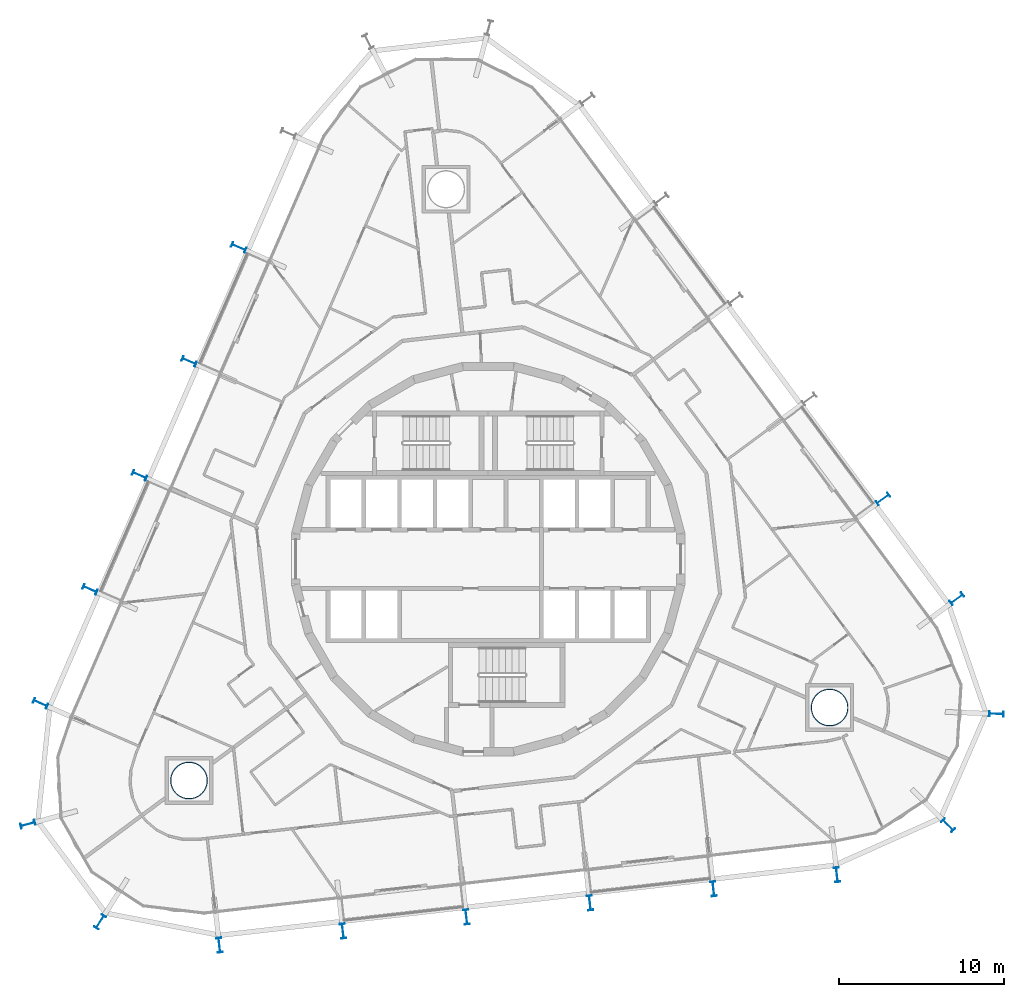
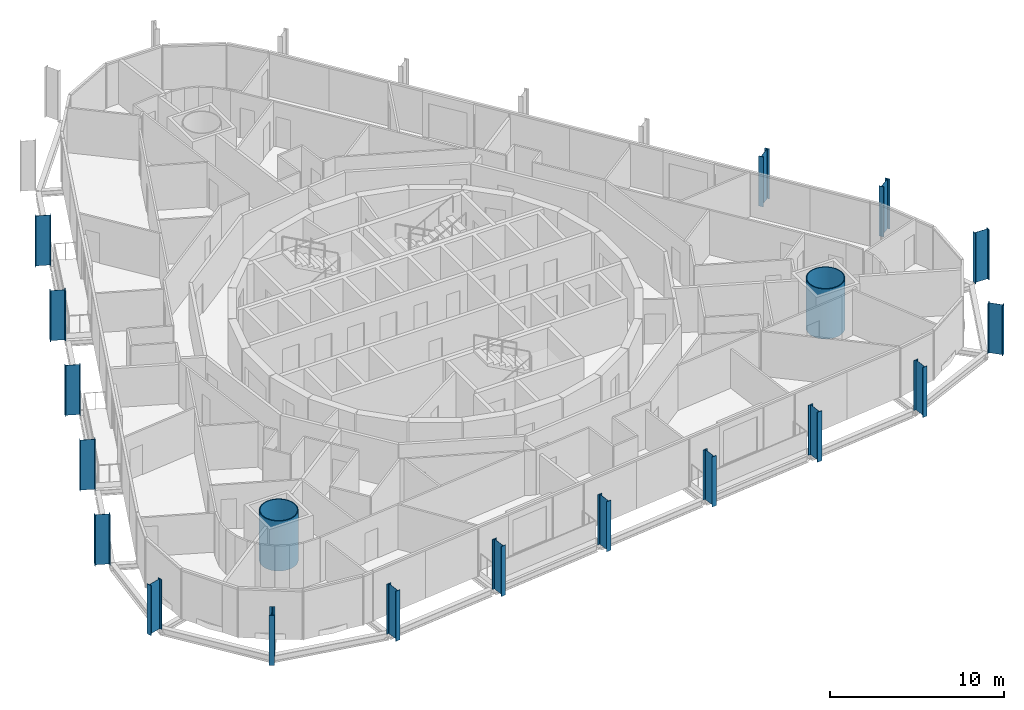
# One storey, part 1 of 21: 19 columns.
"""IFC4 building model written with IfcOpenShell, lengths in metres."""

from ifc_helpers import new_model, si_unit, direction, frame, origin, origin_2d, place, context, subcontext, project, spatial, hollow_circle, i_section, extrude, material, material_profile, profile_set, type_object, element, save


model = new_model("IFC4")

# Units and contexts
model_context = context("Model", 3, precision=1e-05, world=origin(), true_north=direction((0.0, 1.0)))
body_context = subcontext(model_context, "Body", "Model", "MODEL_VIEW")
ifc_project = project(units=[si_unit("LENGTHUNIT", "METRE"), si_unit("AREAUNIT", "SQUARE_METRE"), si_unit("VOLUMEUNIT", "CUBIC_METRE"), si_unit("PLANEANGLEUNIT", "RADIAN"), si_unit("MASSUNIT", "GRAM", prefix="KILO")], contexts=[model_context])

# Site, building, storey
site_placement = place(None, origin())
site = spatial("IfcSite", under=ifc_project, at=site_placement, CompositionType="ELEMENT")
building_placement = place(site_placement, origin())
building = spatial("IfcBuilding", under=site, at=building_placement, Name="Spindle Arch Residences", CompositionType="ELEMENT")
storey_placement = place(building_placement, frame((0.0, 0.0, 97.699951171875)))
storey = spatial("IfcBuildingStorey", under=building, at=storey_placement, Name="L23", CompositionType="ELEMENT", Elevation=97.699951171875)

# Columns
ifc_material_1 = material(Name="Steel S460ML, intumescent coating R 240", Category="steel")
ifc_material_profile_1 = material_profile(ifc_material_1, i_section(OverallWidth=0.300048828125, OverallDepth=0.89990234375, WebThickness=0.0185546875, FlangeThickness=0.034912109375, FilletRadius=0.030029296875, at=origin_2d()), Name="HEB 900")
ifc_profile_set_1 = profile_set([ifc_material_profile_1], Name="Steel S460ML, intumescent coating R 240")
column_type_1 = type_object("IfcColumnType", Name="Exoskeleton post HEB 900", PredefinedType="COLUMN", material=ifc_profile_set_1)
for number, where, z_axis, x_axis, name in (
    (1, (6.153076171875, -20.794677734375, -0.3798828125), (0.0, 0.0, 1.0), (-0.993571881569, -0.113202986513, 0.0), "Exoskeleton post 1"),
    (2, (13.62353515625, -19.943603515625, -0.3798828125), (0.0, 0.0, 1.0), (-0.993571881569, -0.113202986513, 0.0), "Exoskeleton post 2"),
    (3, (21.093994140625, -19.09228515625, -0.3798828125), (0.0, 0.0, 1.0), (-0.993571881569, -0.113202986513, 0.0), "Exoskeleton post 3"),
    (4, (27.81103515625, -16.097900390625, -0.3798828125), (0.0, 0.0, 1.0), (-0.704963041271, -0.709244041527, 0.0), "Exoskeleton post 4"),
    (5, (30.740478515625, -9.36083984375, -0.3798828125), (0.0, 0.0, 1.0), (-0.037923985838, -0.9992806269, 0.0), "Exoskeleton post 5"),
    (6, (28.349365234375, -2.40625, -0.3798828125), (0.0, 0.0, 1.0), (0.594822857897, -0.803856807972, 0.0), "Exoskeleton post 6"),
    (7, (23.876953125, 3.637939453125, -0.3798828125), (0.0, 0.0, 1.0), (0.594822857897, -0.803856807972, 0.0), "Exoskeleton post 7"),
    (8, (-15.0888671875, 18.859130859375, -0.3798828125), (0.0, 0.0, 1.0), (0.398749038162, 0.917060087761, 0.0), "Exoskeleton post 15"),
    (9, (-18.087158203125, 11.9638671875, -0.3798828125), (0.0, 0.0, 1.0), (0.398749038162, 0.917060087761, 0.0), "Exoskeleton post 16"),
    (10, (-21.085205078125, 5.068603515625, -0.3798828125), (0.0, 0.0, 1.0), (0.398749038162, 0.917060087761, 0.0), "Exoskeleton post 17"),
    (11, (-24.083251953125, -1.826416015625, -0.3798828125), (0.0, 0.0, 1.0), (0.398749038162, 0.917060087761, 0.0), "Exoskeleton post 18"),
    (12, (-27.081298828125, -8.7216796875, -0.3798828125), (0.0, 0.0, 1.0), (0.398749038162, 0.917060087761, 0.0), "Exoskeleton post 19"),
    (13, (-27.8466796875, -16.035888671875, -0.3798828125), (0.0, 0.0, 1.0), (-0.261741969429, 0.965137887268, 0.0), "Exoskeleton post 20"),
    (14, (-23.47705078125, -21.94140625, -0.3798828125), (0.0, 0.0, 1.0), (-0.846440049151, 0.532484030928, 0.0), "Exoskeleton post 21"),
    (15, (-16.258544921875, -23.34814453125, -0.3798828125), (0.0, 0.0, 1.0), (-0.993571881569, -0.113202986513, 0.0), "Exoskeleton post 22"),
    (16, (-8.7880859375, -22.4970703125, -0.3798828125), (0.0, 0.0, 1.0), (-0.993571881569, -0.113202986513, 0.0), "Exoskeleton post 23"),
    (17, (-1.3173828125, -21.645751953125, -0.3798828125), (0.0, 0.0, 1.0), (-0.993571881569, -0.113202986513, 0.0), "Exoskeleton post 24"),
):
    element("IfcColumn", number, at=place(storey_placement, frame(where, z_axis=z_axis, x_axis=x_axis)), inside=storey, type_object=column_type_1, Name=name, PredefinedType="COLUMN", context=body_context, shape_type="SweptSolid", body=[
        extrude(i_section(OverallWidth=0.300048828125, OverallDepth=0.89990234375, WebThickness=0.0185546875, FlangeThickness=0.034912109375, FilletRadius=0.030029296875, at=origin_2d()), origin(), (0.0, 0.0, 1.0), 3.5),
    ])
ifc_material_2 = material(Name="Concrete C50/60 filled steel tube S460ML, intumescent coating R 240", Category="concrete")
ifc_material_profile_2 = material_profile(ifc_material_2, hollow_circle(Radius=1.125, WallThickness=0.054931640625, at=origin_2d()), Name="CFT D2250x55")
ifc_profile_set_2 = profile_set([ifc_material_profile_2], Name="Concrete C50/60 filled steel tube S460ML, intumescent coating R 240")
column_type_2 = type_object("IfcColumnType", Name="Mega-column CFT D2250x55", PredefinedType="COLUMN", material=ifc_profile_set_2)
for number, where, z_axis, x_axis, name in (
    (18, (20.647705078125, -8.977783203125, -0.3798828125), (0.0, 0.0, 1.0), (1.0, 0.0, 0.0), "Mega-column 1"),
    (19, (-18.098876953125, -13.392578125, -0.3798828125), (0.0, 0.0, 1.0), (1.0, 0.0, 0.0), "Mega-column 3"),
):
    element("IfcColumn", number, at=place(storey_placement, frame(where, z_axis=z_axis, x_axis=x_axis)), inside=storey, type_object=column_type_2, Name=name, PredefinedType="COLUMN", context=body_context, shape_type="SweptSolid", body=[
        extrude(hollow_circle(Radius=1.125, WallThickness=0.054931640625, at=origin_2d()), origin(), (0.0, 0.0, 1.0), 3.5),
    ])

save(model, "model.ifc")
